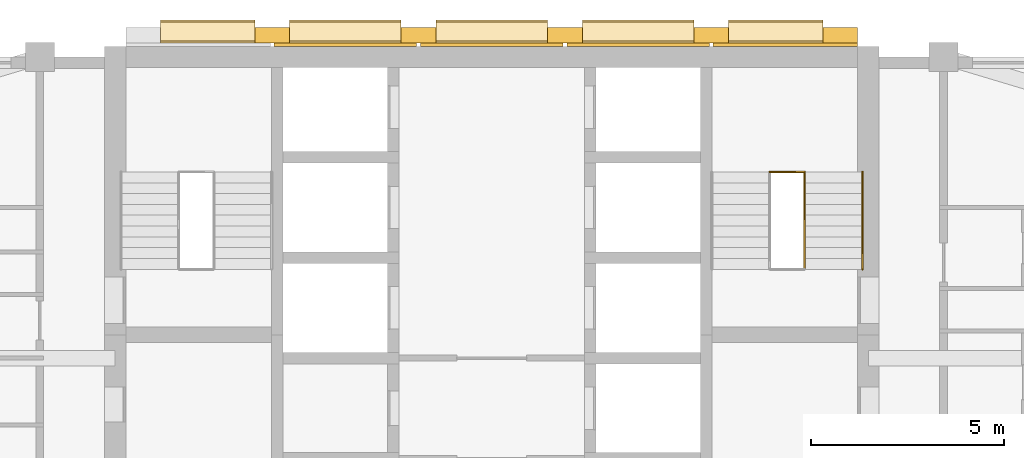
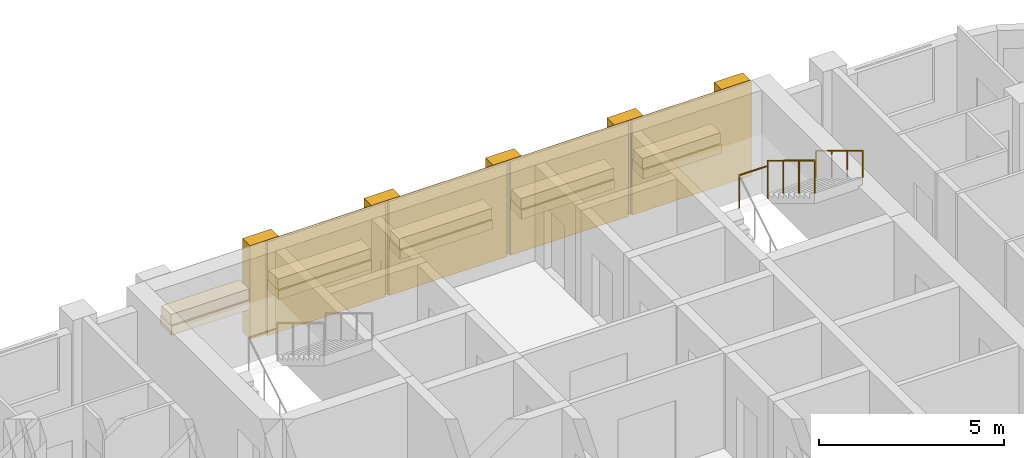
# One storey, part 13 of 13: 19 coverings, 3 railings, 1 element without a shape of its own.
"""IFC4 building model written with IfcOpenShell, lengths in metres."""

from ifc_helpers import new_model, si_unit, direction, frame, origin, origin_2d, place, context, subcontext, project, spatial, rectangle, circle, extrude, material, layer, layer_set, type_object, element, aggregate, save


model = new_model("IFC4")

# Units and contexts
model_context = context("Model", 3, precision=1e-05, world=origin(), true_north=direction((0.0, 1.0)))
body_context = subcontext(model_context, "Body", "Model", "MODEL_VIEW")
ifc_project = project(units=[si_unit("LENGTHUNIT", "METRE"), si_unit("AREAUNIT", "SQUARE_METRE"), si_unit("VOLUMEUNIT", "CUBIC_METRE"), si_unit("PLANEANGLEUNIT", "RADIAN"), si_unit("MASSUNIT", "GRAM", prefix="KILO")], contexts=[model_context])

# Site, building, storey
site_placement = place(None, origin())
site = spatial("IfcSite", under=ifc_project, at=site_placement, CompositionType="ELEMENT")
building_placement = place(site_placement, origin())
building = spatial("IfcBuilding", under=site, at=building_placement, Name="Ludao Terraces", CompositionType="ELEMENT")
storey_placement = place(building_placement, frame((0.0, 0.0, 165.60009765625)))
storey = spatial("IfcBuildingStorey", under=building, at=storey_placement, Name="L45", CompositionType="ELEMENT", Elevation=165.60009765625)

# Coverings
ifc_material_1 = material(Name="Granite cladding", Category="masonry")
ifc_layer_1 = layer(ifc_material_1, 0.39990234375)
ifc_layer_set_1 = layer_set([ifc_layer_1], Name="ENV Core pilaster stone 400")
covering_type_1 = type_object("IfcCoveringType", Name="ENV Core pilaster stone 400", PredefinedType="CLADDING", material=ifc_layer_set_1)
for number, where, z_axis, x_axis, name in (
    (1, (79.31494140625, 85.054931640625, -0.000244140625), (0.0, 0.0, 1.0), (1.0, 0.0, 0.0), "CC-L45-PIL2"),
    (2, (83.10498046875, 85.054931640625, -0.000244140625), (0.0, 0.0, 1.0), (1.0, 0.0, 0.0), "CC-L45-PIL3"),
    (3, (86.89501953125, 85.054931640625, -0.000244140625), (0.0, 0.0, 1.0), (1.0, 0.0, 0.0), "CC-L45-PIL4"),
    (4, (90.68505859375, 85.054931640625, -0.000244140625), (0.0, 0.0, 1.0), (1.0, 0.0, 0.0), "CC-L45-PIL5"),
    (5, (94.02490234375, 85.054931640625, -0.000244140625), (0.0, 0.0, 1.0), (1.0, 0.0, 0.0), "CC-L45-PIL6"),
):
    element("IfcCovering", number, at=place(storey_placement, frame(where, z_axis=z_axis, x_axis=x_axis)), inside=storey, type_object=covering_type_1, Name=name, PredefinedType="CLADDING", context=body_context, shape_type="SweptSolid", body=[
        extrude(rectangle(XDim=0.89990234375, YDim=0.39990234375, at=origin_2d()), origin(), (0.0, 0.0, 1.0), 3.10009765625),
    ])
ifc_layer_2 = layer(ifc_material_1, 0.60009765625)
ifc_layer_set_2 = layer_set([ifc_layer_2], Name="ENV Core planting shelf stone 600")
covering_type_2 = type_object("IfcCoveringType", Name="ENV Core planting shelf stone 600", PredefinedType="CLADDING", material=ifc_layer_set_2)
covering_1_placement = place(storey_placement, frame((77.64501953125, 85.155029296875, 1.0), z_axis=(0.0, 0.0, 1.0), x_axis=(1.0, 0.0, 0.0)))
element("IfcCovering", 6, at=covering_1_placement, inside=storey, type_object=covering_type_2, Name="CC-L45-SHELF1", PredefinedType="CLADDING", context=body_context, shape_type="SweptSolid", body=[
    extrude(rectangle(XDim=2.43994140625, YDim=0.60009765625, at=origin_2d()), origin(), (0.0, 0.0, 1.0), 0.300048828125),
])
for number, where, z_axis, x_axis, name in (
    (7, (81.2099609375, 85.155029296875, 1.0), (0.0, 0.0, 1.0), (1.0, 0.0, 0.0), "CC-L45-SHELF2"),
    (8, (85.0, 85.155029296875, 1.0), (0.0, 0.0, 1.0), (1.0, 0.0, 0.0), "CC-L45-SHELF3"),
    (9, (88.7900390625, 85.155029296875, 1.0), (0.0, 0.0, 1.0), (1.0, 0.0, 0.0), "CC-L45-SHELF4"),
):
    element("IfcCovering", number, at=place(storey_placement, frame(where, z_axis=z_axis, x_axis=x_axis)), inside=storey, type_object=covering_type_2, Name=name, PredefinedType="CLADDING", context=body_context, shape_type="SweptSolid", body=[
        extrude(rectangle(XDim=2.889892578125, YDim=0.60009765625, at=origin_2d()), origin(), (0.0, 0.0, 1.0), 0.300048828125),
    ])
covering_2_placement = place(storey_placement, frame((92.35498046875, 85.155029296875, 1.0), z_axis=(0.0, 0.0, 1.0), x_axis=(1.0, 0.0, 0.0)))
element("IfcCovering", 10, at=covering_2_placement, inside=storey, type_object=covering_type_2, Name="CC-L45-SHELF5", PredefinedType="CLADDING", context=body_context, shape_type="SweptSolid", body=[
    extrude(rectangle(XDim=2.43994140625, YDim=0.60009765625, at=origin_2d()), origin(), (0.0, 0.0, 1.0), 0.300048828125),
])
ifc_layer_3 = layer(ifc_material_1, 0.080078125)
ifc_layer_set_3 = layer_set([ifc_layer_3], Name="ENV Core stone cladding panel 80")
covering_type_3 = type_object("IfcCoveringType", Name="ENV Core stone cladding panel 80", PredefinedType="CLADDING", material=ifc_layer_set_3)
for number, where, z_axis, x_axis, name in (
    (11, (81.2099609375, 84.81494140625, -0.000244140625), (0.0, 0.0, 1.0), (1.0, 0.0, 0.0), "CC-L45-CORE2"),
    (12, (85.0, 84.81494140625, -0.000244140625), (0.0, 0.0, 1.0), (1.0, 0.0, 0.0), "CC-L45-CORE3"),
    (13, (88.7900390625, 84.81494140625, -0.000244140625), (0.0, 0.0, 1.0), (1.0, 0.0, 0.0), "CC-L45-CORE4"),
):
    element("IfcCovering", number, at=place(storey_placement, frame(where, z_axis=z_axis, x_axis=x_axis)), inside=storey, type_object=covering_type_3, Name=name, PredefinedType="CLADDING", context=body_context, shape_type="SweptSolid", body=[
        extrude(rectangle(XDim=3.68994140625, YDim=0.080078125, at=origin_2d()), origin(), (0.0, 0.0, 1.0), 3.10009765625),
    ])
covering_3_placement = place(storey_placement, frame((92.60498046875, 84.81494140625, -0.000244140625), z_axis=(0.0, 0.0, 1.0), x_axis=(1.0, 0.0, 0.0)))
element("IfcCovering", 14, at=covering_3_placement, inside=storey, type_object=covering_type_3, Name="CC-L45-CORE5", PredefinedType="CLADDING", context=body_context, shape_type="SweptSolid", body=[
    extrude(rectangle(XDim=3.739990234375, YDim=0.080078125, at=origin_2d()), origin(), (0.0, 0.0, 1.0), 3.10009765625),
])
ifc_material_2 = material(Name="Planting")
ifc_layer_4 = layer(ifc_material_2, 0.5)
ifc_layer_set_4 = layer_set([ifc_layer_4], Name="ENV Shelf planting bed 350")
covering_type_4 = type_object("IfcCoveringType", Name="ENV Shelf planting bed 350", PredefinedType="USERDEFINED", material=ifc_layer_set_4)
covering_4_placement = place(storey_placement, frame((77.64501953125, 85.155029296875, 1.2998046875), z_axis=(0.0, 0.0, 1.0), x_axis=(1.0, 0.0, 0.0)))
element("IfcCovering", 15, at=covering_4_placement, inside=storey, type_object=covering_type_4, Name="Shelf planting bed L45 1", ObjectType="PLANTING", PredefinedType="USERDEFINED", context=body_context, shape_type="SweptSolid", body=[
    extrude(rectangle(XDim=2.43994140625, YDim=0.5, at=origin_2d()), origin(), (0.0, 0.0, 1.0), 0.35009765625),
])
for number, where, z_axis, x_axis, name in (
    (16, (81.2099609375, 85.155029296875, 1.2998046875), (0.0, 0.0, 1.0), (1.0, 0.0, 0.0), "Shelf planting bed L45 2"),
    (17, (85.0, 85.155029296875, 1.2998046875), (0.0, 0.0, 1.0), (1.0, 0.0, 0.0), "Shelf planting bed L45 3"),
    (18, (88.7900390625, 85.155029296875, 1.2998046875), (0.0, 0.0, 1.0), (1.0, 0.0, 0.0), "Shelf planting bed L45 4"),
):
    element("IfcCovering", number, at=place(storey_placement, frame(where, z_axis=z_axis, x_axis=x_axis)), inside=storey, type_object=covering_type_4, Name=name, ObjectType="PLANTING", PredefinedType="USERDEFINED", context=body_context, shape_type="SweptSolid", body=[
        extrude(rectangle(XDim=2.889892578125, YDim=0.5, at=origin_2d()), origin(), (0.0, 0.0, 1.0), 0.35009765625),
    ])
covering_5_placement = place(storey_placement, frame((92.35498046875, 85.155029296875, 1.2998046875), z_axis=(0.0, 0.0, 1.0), x_axis=(1.0, 0.0, 0.0)))
element("IfcCovering", 19, at=covering_5_placement, inside=storey, type_object=covering_type_4, Name="Shelf planting bed L45 5", ObjectType="PLANTING", PredefinedType="USERDEFINED", context=body_context, shape_type="SweptSolid", body=[
    extrude(rectangle(XDim=2.43994140625, YDim=0.5, at=origin_2d()), origin(), (0.0, 0.0, 1.0), 0.35009765625),
])

# Stair, railings
ifc_material_3 = material(Name="Concrete C40", Category="concrete")
stair_type = type_object("IfcStairType", Name="INT Stair", PredefinedType="HALF_TURN_STAIR", material=ifc_material_3)
stair_placement = place(storey_placement, origin())
stair = element("IfcStair", 20, at=stair_placement, inside=storey, type_object=stair_type, Name="EXIT STAIR 2", PredefinedType="HALF_TURN_STAIR")
ifc_material_4 = material(Name="Stainless steel 304", Category="steel")
railing_type_1 = type_object("IfcRailingType", Name="INT Stair guard 1100", PredefinedType="GUARDRAIL", material=ifc_material_4)
railing_1_placement = place(storey_placement, frame((93.10009765625, 81.52001953125, 1.869873046875)))
railing_1 = element("IfcRailing", 21, at=railing_1_placement, type_object=railing_type_1, Name="ST-L45-S2-R2G", PredefinedType="GUARDRAIL", context=body_context, shape_type="SweptSolid", body=[
    extrude(circle(Radius=0.02392578125, at=origin_2d()), frame((0.0, 0.0, 1.076171875), z_axis=(0.0, -0.85478489116, 0.518982456201), x_axis=(1.0, 0.0, 0.0)), (0.0, 0.0, 1.0), 2.9482421875),
    extrude(circle(Radius=0.02099609375, at=origin_2d()), origin(), (0.0, 0.0, 1.0), 1.052001953125),
    extrude(circle(Radius=0.02099609375, at=origin_2d()), frame((0.0, -0.840087890625, 0.510009765625)), (0.0, 0.0, 1.0), 1.052001953125),
    extrude(circle(Radius=0.02099609375, at=origin_2d()), frame((0.0, -1.679931640625, 1.02001953125)), (0.0, 0.0, 1.0), 1.052001953125),
    extrude(circle(Radius=0.02099609375, at=origin_2d()), frame((0.0, -2.52001953125, 1.530029296875)), (0.0, 0.0, 1.0), 1.052001953125),
])
railing_2_placement = place(storey_placement, frame((92.199951171875, 81.52001953125, 1.699951171875)))
railing_2 = element("IfcRailing", 22, at=railing_2_placement, type_object=railing_type_1, Name="ST-L45-S2-E1G", PredefinedType="GUARDRAIL", context=body_context, shape_type="SweptSolid", body=[
    extrude(circle(Radius=0.02392578125, at=origin_2d()), frame((0.0, 0.0, 1.076171875), z_axis=(1.0, 0.0, 0.0), x_axis=(0.0, 1.0, 0.0)), (0.0, 0.0, 1.0), 0.900146484375),
    extrude(circle(Radius=0.02099609375, at=origin_2d()), origin(), (0.0, 0.0, 1.0), 1.052001953125),
    extrude(circle(Radius=0.02099609375, at=origin_2d()), frame((0.900146484375, 0.0, 0.0)), (0.0, 0.0, 1.0), 1.052001953125),
])
railing_type_2 = type_object("IfcRailingType", Name="INT Stair handrail 900", PredefinedType="HANDRAIL", material=ifc_material_4)
railing_3_placement = place(storey_placement, frame((94.60009765625, 81.52001953125, 1.869873046875)))
railing_3 = element("IfcRailing", 23, at=railing_3_placement, type_object=railing_type_2, Name="ST-L45-S2-R2H", PredefinedType="HANDRAIL", context=body_context, shape_type="SweptSolid", body=[
    extrude(circle(Radius=0.02392578125, at=origin_2d()), frame((0.0, 0.0, 0.8759765625), z_axis=(0.0, -0.85478489116, 0.518982456201), x_axis=(1.0, 0.0, 0.0)), (0.0, 0.0, 1.0), 2.9482421875),
    extrude(circle(Radius=0.02099609375, at=origin_2d()), origin(), (0.0, 0.0, 1.0), 0.851806640625),
    extrude(circle(Radius=0.02099609375, at=origin_2d()), frame((0.0, -0.840087890625, 0.510009765625)), (0.0, 0.0, 1.0), 0.851806640625),
    extrude(circle(Radius=0.02099609375, at=origin_2d()), frame((0.0, -1.679931640625, 1.02001953125)), (0.0, 0.0, 1.0), 0.851806640625),
    extrude(circle(Radius=0.02099609375, at=origin_2d()), frame((0.0, -2.52001953125, 1.530029296875)), (0.0, 0.0, 1.0), 0.851806640625),
])
aggregate(stair, [railing_1, railing_3, railing_2])

save(model, "model.ifc")
